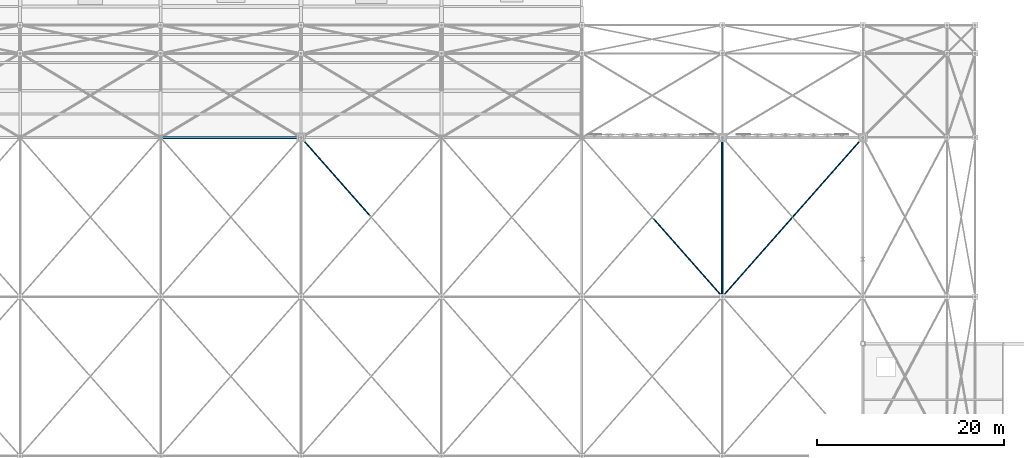
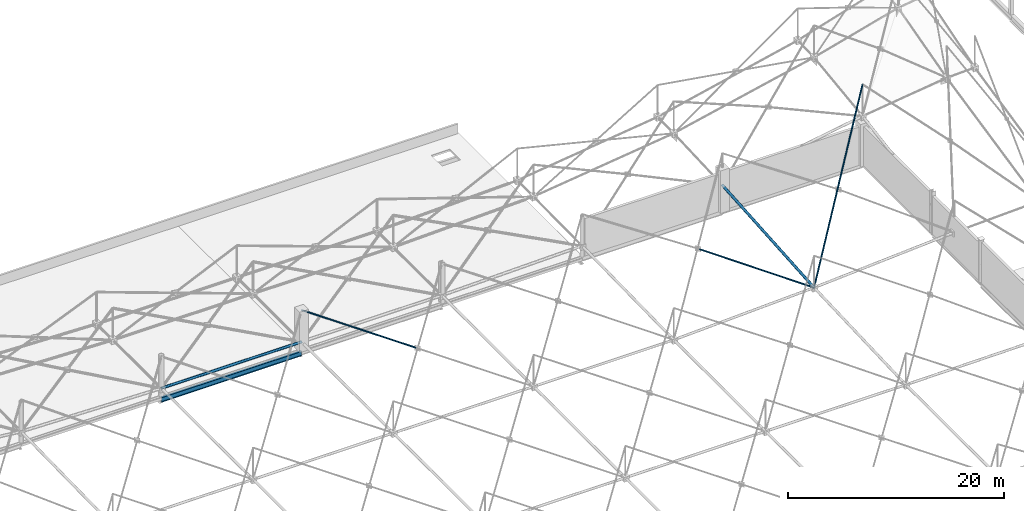
# One storey, part 110 of 224: 5 members, 1 beam.
"""IFC4 building model written with IfcOpenShell, lengths in metres."""

from ifc_helpers import new_model, si_unit, direction, frame, origin, origin_2d, place, context, subcontext, project, spatial, hollow_circle, i_section, extrude, material, material_profile, profile_set, type_object, element, save


model = new_model("IFC4")

# Units and contexts
model_context = context("Model", 3, precision=1e-05, world=origin(), true_north=direction((0.0, 1.0)))
body_context = subcontext(model_context, "Body", "Model", "MODEL_VIEW")
ifc_project = project(units=[si_unit("LENGTHUNIT", "METRE"), si_unit("AREAUNIT", "SQUARE_METRE"), si_unit("VOLUMEUNIT", "CUBIC_METRE"), si_unit("PLANEANGLEUNIT", "RADIAN"), si_unit("MASSUNIT", "GRAM", prefix="KILO")], contexts=[model_context])

# Site, building, storey
site_placement = place(None, origin())
site = spatial("IfcSite", under=ifc_project, at=site_placement, CompositionType="ELEMENT")
building_placement = place(site_placement, origin())
building = spatial("IfcBuilding", under=site, at=building_placement, Name="Qamarlyn Nura Convention Centre", CompositionType="ELEMENT")
storey_placement = place(building_placement, frame((0.0, 0.0, 10.800048828125)))
storey = spatial("IfcBuildingStorey", under=building, at=storey_placement, Name="L02", CompositionType="ELEMENT", Elevation=10.800048828125)

# Beam
ifc_material_1 = material(Name="Steel ASTM A992", Category="steel")
ifc_material_profile_1 = material_profile(ifc_material_1, i_section(OverallWidth=0.2109375, OverallDepth=0.5390625, WebThickness=0.01171875, FlangeThickness=0.018798828125, FilletRadius=0.013916015625, at=origin_2d()), Name="W530X109")
ifc_profile_set_1 = profile_set([ifc_material_profile_1], Name="Steel ASTM A992")
beam_type = type_object("IfcBeamType", Name="BM-SPAN-530", PredefinedType="SPANDREL", material=ifc_profile_set_1)
beam_placement = place(storey_placement, frame((45.0, 103.0, -0.464599609375), z_axis=(1.0, 0.0, 0.0), x_axis=(0.0, 1.0, 0.0)))
element("IfcBeam", 1, at=beam_placement, inside=storey, type_object=beam_type, Name="L02 girder M 4-5", PredefinedType="SPANDREL", context=body_context, shape_type="SweptSolid", body=[
    extrude(i_section(OverallWidth=0.2109375, OverallDepth=0.5390625, WebThickness=0.01171875, FlangeThickness=0.018798828125, FilletRadius=0.013916015625, at=origin_2d()), origin(), (0.0, 0.0, 1.0), 15.0),
])

# Members
ifc_material_2 = material(Name="Pearl-white PVDF steel ASTM A500 Grade C", Category="steel")
ifc_material_profile_2 = material_profile(ifc_material_2, hollow_circle(Radius=0.136474609375, WallThickness=0.012451171875, at=origin_2d()), Name="CHS273X12.5")
ifc_profile_set_2 = profile_set([ifc_material_profile_2], Name="Pearl-white PVDF steel ASTM A500 Grade C")
member_type_1 = type_object("IfcMemberType", Name="SF-BC-MAIN", PredefinedType="CHORD", material=ifc_profile_set_2)
member_1_placement = place(storey_placement, frame((45.0, 103.0, 0.800048828125), z_axis=(1.0, 0.0, 0.0), x_axis=(0.0, 1.0, 0.0)))
element("IfcMember", 2, at=member_1_placement, inside=storey, type_object=member_type_1, Name="ROOF TRUSS space frame bottom chord X5-7", PredefinedType="CHORD", context=body_context, shape_type="SweptSolid", body=[
    extrude(hollow_circle(Radius=0.136474609375, WallThickness=0.012451171875, at=origin_2d()), origin(), (0.0, 0.0, 1.0), 15.0),
])
member_2_placement = place(storey_placement, frame((105.0, 86.0, 1.48046875), z_axis=(0.0, 0.997141772719, 0.075553193831), x_axis=(-1.0, 0.0, 0.0)))
element("IfcMember", 3, at=member_2_placement, inside=storey, type_object=member_type_1, Name="ROOF TRUSS space frame bottom chord Y9-6", PredefinedType="CHORD", context=body_context, shape_type="SweptSolid", body=[
    extrude(hollow_circle(Radius=0.136474609375, WallThickness=0.012451171875, at=origin_2d()), origin(), (0.0, 0.0, 1.0), 17.048828125),
])
ifc_material_profile_3 = material_profile(ifc_material_2, hollow_circle(Radius=0.084228515625, WallThickness=0.008056640625, at=origin_2d()), Name="CHS168.3X8")
ifc_profile_set_3 = profile_set([ifc_material_profile_3], Name="Pearl-white PVDF steel ASTM A500 Grade C")
member_type_2 = type_object("IfcMemberType", Name="SF-WEB-STD", PredefinedType="BRACE", material=ifc_profile_set_3)
member_3_placement = place(storey_placement, frame((67.408447265625, 94.603759765625, 2.6220703125), z_axis=(-0.653436826791, 0.740561737029, 0.156807611557), x_axis=(-0.749837855365, -0.661621637087, 0.0)))
element("IfcMember", 4, at=member_3_placement, inside=storey, type_object=member_type_2, Name="ROOF TRUSS space frame split diagonal B2 6-6", PredefinedType="BRACE", context=body_context, shape_type="SweptSolid", body=[
    extrude(hollow_circle(Radius=0.084228515625, WallThickness=0.008056640625, at=origin_2d()), origin(), (0.0, 0.0, 1.0), 11.337646484375),
])
member_4_placement = place(storey_placement, frame((105.0, 86.0, 1.48046875), z_axis=(-0.652707604672, 0.739738153331, 0.16358559628), x_axis=(-0.74983912797, -0.661620194799, 0.0)))
element("IfcMember", 5, at=member_4_placement, inside=storey, type_object=member_type_2, Name="ROOF TRUSS space frame split diagonal B1 8-6", PredefinedType="BRACE", context=body_context, shape_type="SweptSolid", body=[
    extrude(hollow_circle(Radius=0.084228515625, WallThickness=0.008056640625, at=origin_2d()), origin(), (0.0, 0.0, 1.0), 11.349853515625),
])
member_5_placement = place(storey_placement, frame((105.0, 86.0, 1.48046875), z_axis=(0.628690021286, 0.712515357457, 0.311561747528), x_axis=(-0.749837855365, 0.661621637087, 0.0)))
element("IfcMember", 6, at=member_5_placement, inside=storey, type_object=member_type_2, Name="ROOF TRUSS space frame diagonal A 9-6", PredefinedType="BRACE", context=body_context, shape_type="SweptSolid", body=[
    extrude(hollow_circle(Radius=0.084228515625, WallThickness=0.008056640625, at=origin_2d()), origin(), (0.0, 0.0, 1.0), 23.859130859375),
])

save(model, "model.ifc")
